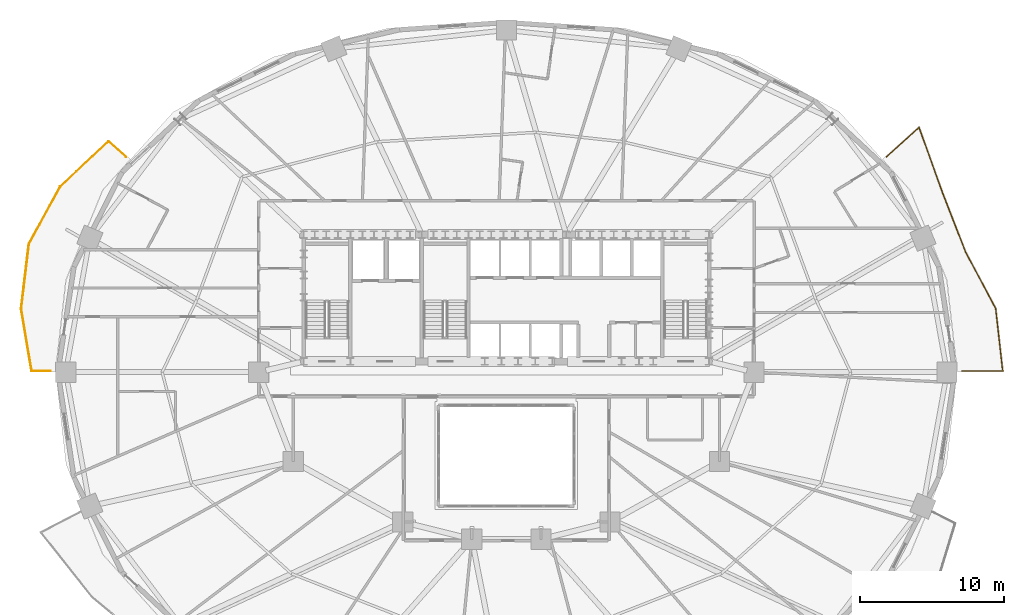
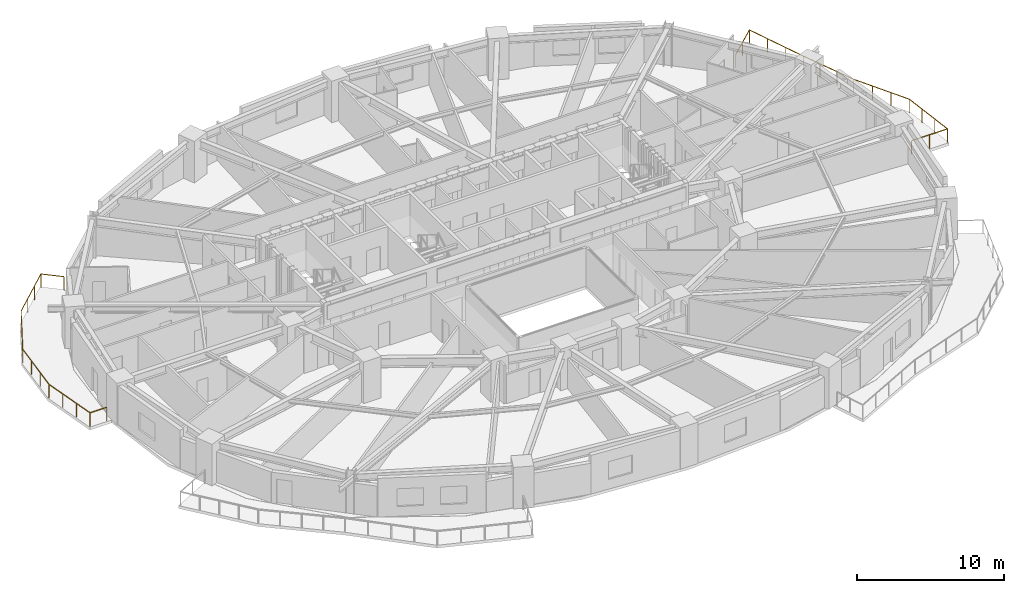
# One storey, part 17 of 17: 2 railings.
"""IFC4 building model written with IfcOpenShell, lengths in metres."""

from ifc_helpers import new_model, si_unit, direction, frame, origin, origin_2d, place, context, subcontext, project, spatial, rectangle, extrude, material, type_object, element, save


model = new_model("IFC4")

# Units and contexts
model_context = context("Model", 3, precision=1e-05, world=origin(), true_north=direction((0.0, 1.0)))
body_context = subcontext(model_context, "Body", "Model", "MODEL_VIEW")
ifc_project = project(units=[si_unit("LENGTHUNIT", "METRE"), si_unit("AREAUNIT", "SQUARE_METRE"), si_unit("VOLUMEUNIT", "CUBIC_METRE"), si_unit("PLANEANGLEUNIT", "RADIAN"), si_unit("MASSUNIT", "GRAM", prefix="KILO")], contexts=[model_context])

# Site, building, storey
site_placement = place(None, origin())
site = spatial("IfcSite", under=ifc_project, at=site_placement, CompositionType="ELEMENT")
building_placement = place(site_placement, origin())
building = spatial("IfcBuilding", under=site, at=building_placement, Name="Haldorwick Loom Tower", CompositionType="ELEMENT")
storey_placement = place(building_placement, frame((0.0, 0.0, 44.699951171875)))
storey = spatial("IfcBuildingStorey", under=building, at=storey_placement, Name="L11", CompositionType="ELEMENT", Elevation=44.699951171875)

# Railings
ifc_material = material(Name="Galvanized Steel CSA G40.21 350W", Category="steel")
railing_type = type_object("IfcRailingType", Name="ARC-RLG-BAL115", PredefinedType="BALUSTRADE", material=ifc_material)
railing_1_placement = place(storey_placement, frame((4.36083984375, 26.080078125, 0.0)))
element("IfcRailing", 1, at=railing_1_placement, inside=storey, type_object=railing_type, Name="L11 Outdoor Terrace Guardrail SLB-L11-BAL_WNW-1", PredefinedType="BALUSTRADE", context=body_context, shape_type="SweptSolid", body=[
    extrude(rectangle(XDim=0.048095703125, YDim=0.048095703125, at=origin_2d()), frame((0.0, 0.0, 1.1259765625), z_axis=(-1.0, 0.0, 0.0), x_axis=(0.0, -1.0, 0.0)), (0.0, 0.0, 1.0), 1.315673828125),
    extrude(rectangle(XDim=0.048095703125, YDim=0.048095703125, at=origin_2d()), frame((-1.315673828125, 0.0, 1.1259765625), z_axis=(-0.167012646777, 0.985954753433, 0.0), x_axis=(-0.985954753433, -0.167012646777, 0.0)), (0.0, 0.0, 1.0), 4.376708984375),
    extrude(rectangle(XDim=0.048095703125, YDim=0.048095703125, at=origin_2d()), frame((-2.046630859375, 4.315185546875, 1.1259765625), z_axis=(0.118178746417, 0.992992338286, 0.0), x_axis=(-0.992992338286, 0.118178746417, 0.0)), (0.0, 0.0, 1.0), 4.532470703125),
    extrude(rectangle(XDim=0.048095703125, YDim=0.048095703125, at=origin_2d()), frame((-1.510986328125, 8.81591796875, 1.1259765625), z_axis=(0.478746977459, 0.877952921046, 0.0), x_axis=(-0.877952921046, 0.478746977459, 0.0)), (0.0, 0.0, 1.0), 4.554931640625),
    extrude(rectangle(XDim=0.048095703125, YDim=0.048095703125, at=origin_2d()), frame((0.669677734375, 12.81494140625, 1.1259765625), z_axis=(0.731566348196, 0.681770253228, 0.0), x_axis=(-0.681770253228, 0.731566348196, 0.0)), (0.0, 0.0, 1.0), 4.589111328125),
    extrude(rectangle(XDim=0.048095703125, YDim=0.048095703125, at=origin_2d()), frame((4.02685546875, 15.943603515625, 1.1259765625), z_axis=(0.748217378369, -0.663453656789, 0.0), x_axis=(0.663453656789, 0.748217378369, 0.0)), (0.0, 0.0, 1.0), 1.61572265625),
    extrude(rectangle(XDim=0.0419921875, YDim=0.0419921875, at=origin_2d()), origin(), (0.0, 0.0, 1.0), 1.101806640625),
    extrude(rectangle(XDim=0.0419921875, YDim=0.0419921875, at=origin_2d()), frame((-1.315673828125, 0.0, 0.0)), (0.0, 0.0, 1.0), 1.101806640625),
    extrude(rectangle(XDim=0.0419921875, YDim=0.0419921875, at=origin_2d()), frame((-1.559326171875, 1.4384765625, 0.0)), (0.0, 0.0, 1.0), 1.101806640625),
    extrude(rectangle(XDim=0.0419921875, YDim=0.0419921875, at=origin_2d()), frame((-1.802978515625, 2.876708984375, 0.0)), (0.0, 0.0, 1.0), 1.101806640625),
    extrude(rectangle(XDim=0.0419921875, YDim=0.0419921875, at=origin_2d()), frame((-2.046630859375, 4.315185546875, 0.0)), (0.0, 0.0, 1.0), 1.101806640625),
    extrude(rectangle(XDim=0.0419921875, YDim=0.0419921875, at=origin_2d()), frame((-1.8681640625, 5.8154296875, 0.0)), (0.0, 0.0, 1.0), 1.101806640625),
    extrude(rectangle(XDim=0.0419921875, YDim=0.0419921875, at=origin_2d()), frame((-1.689453125, 7.315673828125, 0.0)), (0.0, 0.0, 1.0), 1.101806640625),
    extrude(rectangle(XDim=0.0419921875, YDim=0.0419921875, at=origin_2d()), frame((-1.510986328125, 8.81591796875, 0.0)), (0.0, 0.0, 1.0), 1.101806640625),
    extrude(rectangle(XDim=0.0419921875, YDim=0.0419921875, at=origin_2d()), frame((-0.7841796875, 10.14892578125, 0.0)), (0.0, 0.0, 1.0), 1.101806640625),
    extrude(rectangle(XDim=0.0419921875, YDim=0.0419921875, at=origin_2d()), frame((-0.05712890625, 11.48193359375, 0.0)), (0.0, 0.0, 1.0), 1.101806640625),
    extrude(rectangle(XDim=0.0419921875, YDim=0.0419921875, at=origin_2d()), frame((0.669677734375, 12.81494140625, 0.0)), (0.0, 0.0, 1.0), 1.101806640625),
    extrude(rectangle(XDim=0.0419921875, YDim=0.0419921875, at=origin_2d()), frame((1.788818359375, 13.85791015625, 0.0)), (0.0, 0.0, 1.0), 1.101806640625),
    extrude(rectangle(XDim=0.0419921875, YDim=0.0419921875, at=origin_2d()), frame((2.90771484375, 14.900634765625, 0.0)), (0.0, 0.0, 1.0), 1.101806640625),
    extrude(rectangle(XDim=0.0419921875, YDim=0.0419921875, at=origin_2d()), frame((4.02685546875, 15.943603515625, 0.0)), (0.0, 0.0, 1.0), 1.101806640625),
    extrude(rectangle(XDim=0.0419921875, YDim=0.0419921875, at=origin_2d()), frame((5.23583984375, 14.87158203125, 0.0)), (0.0, 0.0, 1.0), 1.101806640625),
])
railing_2_placement = place(storey_placement, frame((62.400390625, 40.954833984375, 0.0)))
element("IfcRailing", 2, at=railing_2_placement, inside=storey, type_object=railing_type, Name="L11 Outdoor Terrace Guardrail SLB-L11-BAL_ENE-1", PredefinedType="BALUSTRADE", context=body_context, shape_type="SweptSolid", body=[
    extrude(rectangle(XDim=0.048095703125, YDim=0.048095703125, at=origin_2d()), frame((0.0, 0.0, 1.1259765625), z_axis=(0.74176658268, 0.670658137071, 0.0), x_axis=(-0.670658137071, 0.74176658268, 0.0)), (0.0, 0.0, 1.0), 3.03173828125),
    extrude(rectangle(XDim=0.048095703125, YDim=0.048095703125, at=origin_2d()), frame((2.248779296875, 2.033203125, 1.1259765625), z_axis=(0.337840495156, -0.941203378571, 0.0), x_axis=(0.941203378571, 0.337840495156, 0.0)), (0.0, 0.0, 1.0), 4.800537109375),
    extrude(rectangle(XDim=0.048095703125, YDim=0.048095703125, at=origin_2d()), frame((3.87060546875, -2.485107421875, 1.1259765625), z_axis=(0.351123441588, -0.936329177569, 0.0), x_axis=(0.936329177569, 0.351123441588, 0.0)), (0.0, 0.0, 1.0), 0.002197265625),
    extrude(rectangle(XDim=0.048095703125, YDim=0.048095703125, at=origin_2d()), frame((3.871337890625, -2.487060546875, 1.1259765625), z_axis=(0.36271610955, -0.93189968552, 0.0), x_axis=(0.93189968552, 0.36271610955, 0.0)), (0.0, 0.0, 1.0), 4.409423828125),
    extrude(rectangle(XDim=0.048095703125, YDim=0.048095703125, at=origin_2d()), frame((5.470703125, -6.59619140625, 1.1259765625), z_axis=(0.415759760268, -0.909474475586, 0.0), x_axis=(0.909474475586, 0.415759760268, 0.0)), (0.0, 0.0, 1.0), 0.00927734375),
    extrude(rectangle(XDim=0.048095703125, YDim=0.048095703125, at=origin_2d()), frame((5.474609375, -6.604736328125, 1.1259765625), z_axis=(0.470166455798, -0.882577760791, 0.0), x_axis=(0.882577760791, 0.470166455798, 0.0)), (0.0, 0.0, 1.0), 4.447021484375),
    extrude(rectangle(XDim=0.048095703125, YDim=0.048095703125, at=origin_2d()), frame((7.5654296875, -10.529541015625, 1.1259765625), z_axis=(0.112220668286, -0.993683310522, 0.0), x_axis=(0.993683310522, 0.112220668286, 0.0)), (0.0, 0.0, 1.0), 4.372802734375),
    extrude(rectangle(XDim=0.048095703125, YDim=0.048095703125, at=origin_2d()), frame((8.05615234375, -14.874755859375, 1.1259765625), z_axis=(-1.0, 0.0, 0.0), x_axis=(0.0, -1.0, 0.0)), (0.0, 0.0, 1.0), 2.8173828125),
    extrude(rectangle(XDim=0.0419921875, YDim=0.0419921875, at=origin_2d()), origin(), (0.0, 0.0, 1.0), 1.101806640625),
    extrude(rectangle(XDim=0.0419921875, YDim=0.0419921875, at=origin_2d()), frame((1.12451171875, 1.0166015625, 0.0)), (0.0, 0.0, 1.0), 1.101806640625),
    extrude(rectangle(XDim=0.0419921875, YDim=0.0419921875, at=origin_2d()), frame((2.248779296875, 2.033203125, 0.0)), (0.0, 0.0, 1.0), 1.101806640625),
    extrude(rectangle(XDim=0.0419921875, YDim=0.0419921875, at=origin_2d()), frame((2.789306640625, 0.527099609375, 0.0)), (0.0, 0.0, 1.0), 1.101806640625),
    extrude(rectangle(XDim=0.0419921875, YDim=0.0419921875, at=origin_2d()), frame((3.330078125, -0.97900390625, 0.0)), (0.0, 0.0, 1.0), 1.101806640625),
    extrude(rectangle(XDim=0.0419921875, YDim=0.0419921875, at=origin_2d()), frame((3.87060546875, -2.485107421875, 0.0)), (0.0, 0.0, 1.0), 1.101806640625),
    extrude(rectangle(XDim=0.0419921875, YDim=0.0419921875, at=origin_2d()), frame((4.404541015625, -3.856689453125, 0.0)), (0.0, 0.0, 1.0), 1.101806640625),
    extrude(rectangle(XDim=0.0419921875, YDim=0.0419921875, at=origin_2d()), frame((4.9375, -5.2265625, 0.0)), (0.0, 0.0, 1.0), 1.101806640625),
    extrude(rectangle(XDim=0.0419921875, YDim=0.0419921875, at=origin_2d()), frame((5.470703125, -6.59619140625, 0.0)), (0.0, 0.0, 1.0), 1.101806640625),
    extrude(rectangle(XDim=0.0419921875, YDim=0.0419921875, at=origin_2d()), frame((6.171630859375, -7.9130859375, 0.0)), (0.0, 0.0, 1.0), 1.101806640625),
    extrude(rectangle(XDim=0.0419921875, YDim=0.0419921875, at=origin_2d()), frame((6.868408203125, -9.22119140625, 0.0)), (0.0, 0.0, 1.0), 1.101806640625),
    extrude(rectangle(XDim=0.0419921875, YDim=0.0419921875, at=origin_2d()), frame((7.5654296875, -10.529541015625, 0.0)), (0.0, 0.0, 1.0), 1.101806640625),
    extrude(rectangle(XDim=0.0419921875, YDim=0.0419921875, at=origin_2d()), frame((7.72900390625, -11.97802734375, 0.0)), (0.0, 0.0, 1.0), 1.101806640625),
    extrude(rectangle(XDim=0.0419921875, YDim=0.0419921875, at=origin_2d()), frame((7.892578125, -13.42626953125, 0.0)), (0.0, 0.0, 1.0), 1.101806640625),
    extrude(rectangle(XDim=0.0419921875, YDim=0.0419921875, at=origin_2d()), frame((8.05615234375, -14.874755859375, 0.0)), (0.0, 0.0, 1.0), 1.101806640625),
    extrude(rectangle(XDim=0.0419921875, YDim=0.0419921875, at=origin_2d()), frame((6.6474609375, -14.874755859375, 0.0)), (0.0, 0.0, 1.0), 1.101806640625),
    extrude(rectangle(XDim=0.0419921875, YDim=0.0419921875, at=origin_2d()), frame((5.23876953125, -14.874755859375, 0.0)), (0.0, 0.0, 1.0), 1.101806640625),
])

save(model, "model.ifc")
